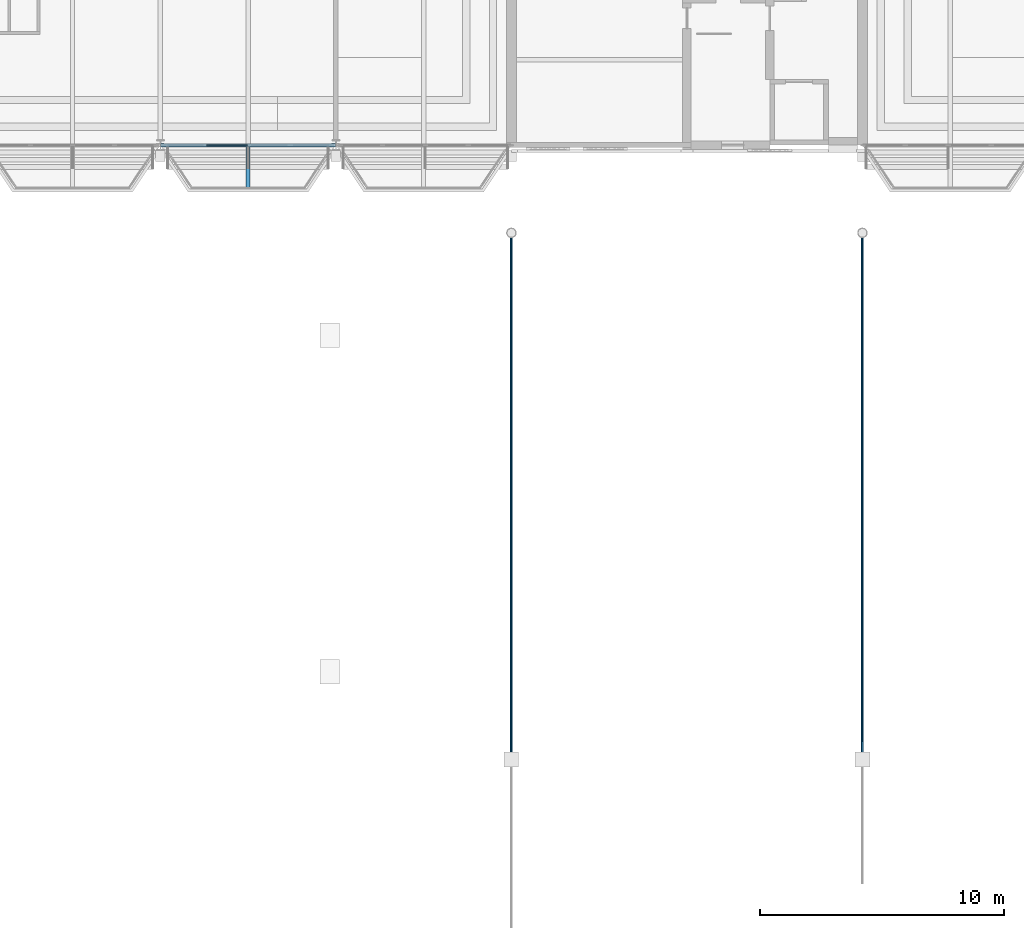
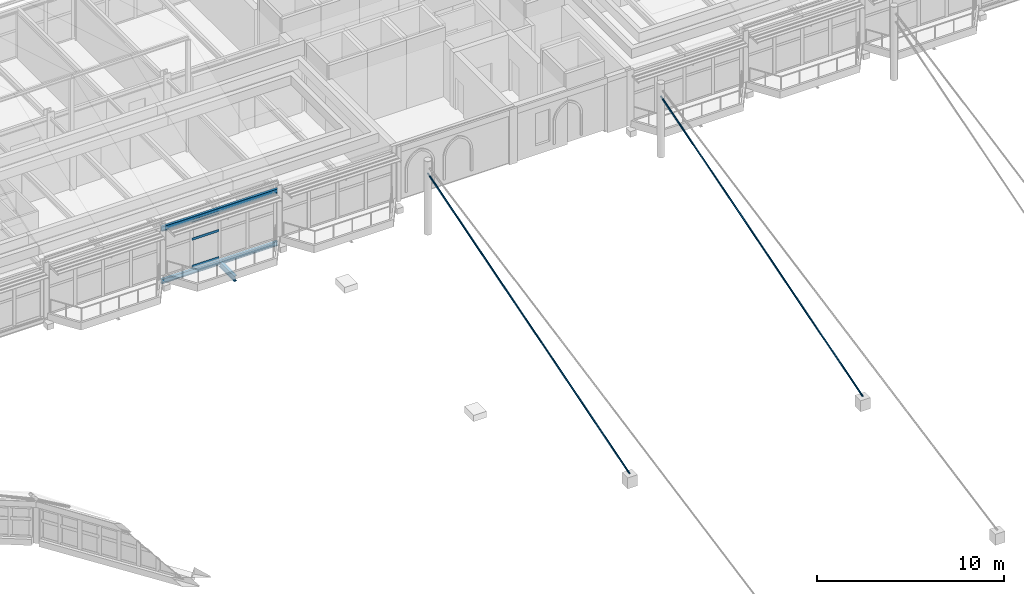
# One storey, part 30 of 68: 5 members, 3 beams, 1 element without a shape of its own.
"""IFC4 building model written with IfcOpenShell, lengths in metres."""

from ifc_helpers import new_model, si_unit, direction, frame, origin, origin_2d, place, context, subcontext, project, spatial, rectangle, circle, i_section, extrude, material, material_profile, profile_set, type_object, element, aggregate, save


model = new_model("IFC4")

# Units and contexts
model_context = context("Model", 3, precision=1e-05, world=origin(), true_north=direction((0.0, 1.0)))
body_context = subcontext(model_context, "Body", "Model", "MODEL_VIEW")
ifc_project = project(units=[si_unit("LENGTHUNIT", "METRE"), si_unit("AREAUNIT", "SQUARE_METRE"), si_unit("VOLUMEUNIT", "CUBIC_METRE"), si_unit("PLANEANGLEUNIT", "RADIAN"), si_unit("MASSUNIT", "GRAM", prefix="KILO")], contexts=[model_context])

# Site, building, storey
site_placement = place(None, origin())
site = spatial("IfcSite", under=ifc_project, at=site_placement, CompositionType="ELEMENT")
building_placement = place(site_placement, origin())
building = spatial("IfcBuilding", under=site, at=building_placement, Name="Kupolbacken Congress Centre", CompositionType="ELEMENT")
storey_placement = place(building_placement, frame((0.0, 0.0, 25.199951171875)))
storey = spatial("IfcBuildingStorey", under=building, at=storey_placement, Name="L07", CompositionType="ELEMENT", Elevation=25.199951171875)

# Beams
ifc_material_1 = material(Name="Steel S355", Category="steel")
ifc_material_profile_1 = material_profile(ifc_material_1, i_section(OverallWidth=0.14990234375, OverallDepth=0.300048828125, WebThickness=0.007080078125, FlangeThickness=0.0107421875, FilletRadius=0.014892578125, at=origin_2d()), Name="IPE 300")
ifc_profile_set_1 = profile_set([ifc_material_profile_1], Name="Steel S355")
beam_type_1 = type_object("IfcBeamType", Name="B04 beam IPE 300", PredefinedType="BEAM", material=ifc_profile_set_1)
for number, where, z_axis, x_axis, name in (
    (1, (79.21044921875, 122.39990234375, -0.2900390625), (1.0, 0.0, 0.0), (0.0, 1.0, 0.0), "S/floor/T/L07/R003"),
    (2, (79.21044921875, 122.39990234375, 3.14013671875), (1.0, 0.0, 0.0), (0.0, 1.0, 0.0), "S/floor/T/ROOF/R003"),
):
    element("IfcBeam", number, at=place(storey_placement, frame(where, z_axis=z_axis, x_axis=x_axis)), inside=storey, type_object=beam_type_1, Name=name, PredefinedType="BEAM", context=body_context, shape_type="SweptSolid", body=[
        extrude(i_section(OverallWidth=0.14990234375, OverallDepth=0.300048828125, WebThickness=0.007080078125, FlangeThickness=0.0107421875, FilletRadius=0.014892578125, at=origin_2d()), origin(), (0.0, 0.0, 1.0), 7.178955078125),
    ])
ifc_material_2 = material(Name="Steel S355", Category="steel")
ifc_material_profile_2 = material_profile(ifc_material_2, i_section(OverallWidth=0.169921875, OverallDepth=0.360107421875, WebThickness=0.008056640625, FlangeThickness=0.0126953125, FilletRadius=0.01806640625, at=origin_2d()), Name="IPE 360")
ifc_profile_set_2 = profile_set([ifc_material_profile_2], Name="Steel S355")
beam_type_2 = type_object("IfcBeamType", Name="B06 beam IPE 360", PredefinedType="BEAM", material=ifc_profile_set_2)
beam_placement = place(storey_placement, frame((82.800048828125, 122.324951171875, -0.320068359375), z_axis=(0.0, -1.0, 0.0), x_axis=(1.0, 0.0, 0.0)))
element("IfcBeam", 3, at=beam_placement, inside=storey, type_object=beam_type_2, Name="S/floor/T/L07/C084", PredefinedType="BEAM", context=body_context, shape_type="SweptSolid", body=[
    extrude(i_section(OverallWidth=0.169921875, OverallDepth=0.360107421875, WebThickness=0.008056640625, FlangeThickness=0.0126953125, FilletRadius=0.01806640625, at=origin_2d()), origin(), (0.0, 0.0, 1.0), 1.6650390625),
])

# Members
ifc_material_3 = material(Name="Steel S355", Category="steel")
ifc_material_profile_3 = material_profile(ifc_material_3, circle(Radius=0.0400390625, at=origin_2d()), Name="RB 80")
ifc_profile_set_3 = profile_set([ifc_material_profile_3], Name="Steel S355")
member_type_1 = type_object("IfcMemberType", Name="M23 roof stay round bar 80", PredefinedType="BRACE", material=ifc_profile_set_3)
for number, where, z_axis, x_axis, name in (
    (4, (93.60009765625, 118.800048828125, 3.900146484375), (0.0, -0.957459747769, -0.288566857769), (1.0, 0.0, 0.0), "Roof stay M1N.1"),
    (5, (108.0, 118.800048828125, 3.900146484375), (0.0, -0.957459747769, -0.288566857769), (1.0, 0.0, 0.0), "Roof stay M2N.1"),
):
    element("IfcMember", number, at=place(storey_placement, frame(where, z_axis=z_axis, x_axis=x_axis)), inside=storey, type_object=member_type_1, Name=name, PredefinedType="BRACE", context=body_context, shape_type="SweptSolid", body=[
        extrude(circle(Radius=0.0400390625, at=origin_2d()), origin(), (0.0, 0.0, 1.0), 22.559814453125),
    ])

# Curtain wall, members
ifc_material_4 = material(Name="Aluminium mullion-transom frame with glass", Category="aluminium")
curtain_wall_type = type_object("IfcCurtainWallType", Name="CW1 curtain wall 7200x3600", PredefinedType="NOTDEFINED", material=ifc_material_4)
curtain_wall_placement = place(storey_placement, origin())
curtain_wall = element("IfcCurtainWall", 6, at=curtain_wall_placement, inside=storey, type_object=curtain_wall_type, Name="E/T/S/L07/114/g0", PredefinedType="NOTDEFINED")
ifc_material_5 = material(Name="Aluminium alloy", Category="aluminium")
ifc_material_profile_4 = material_profile(ifc_material_5, rectangle(XDim=0.050048828125, YDim=0.14990234375, at=origin_2d()), Name="50 x 150")
ifc_profile_set_4 = profile_set([ifc_material_profile_4], Name="Aluminium alloy")
member_type_2 = type_object("IfcMemberType", Name="TR2 transom 50x150", PredefinedType="MULLION", material=ifc_profile_set_4)
member_1_placement = place(storey_placement, frame((81.101806640625, 122.39990234375, 0.025146484375), z_axis=(1.0, 0.0, 0.0), x_axis=(0.0, 1.0, 0.0)))
member_1 = element("IfcMember", 7, at=member_1_placement, type_object=member_type_2, Name="CW1 transom 2.1", PredefinedType="MULLION", context=body_context, shape_type="SweptSolid", body=[
    extrude(rectangle(XDim=0.050048828125, YDim=0.14990234375, at=origin_2d()), origin(), (0.0, 0.0, 1.0), 1.673095703125),
])
member_2_placement = place(storey_placement, frame((81.101806640625, 122.39990234375, 1.800048828125), z_axis=(1.0, 0.0, 0.0), x_axis=(0.0, 1.0, 0.0)))
member_2 = element("IfcMember", 8, at=member_2_placement, type_object=member_type_2, Name="CW1 transom 2.2", PredefinedType="MULLION", context=body_context, shape_type="SweptSolid", body=[
    extrude(rectangle(XDim=0.050048828125, YDim=0.14990234375, at=origin_2d()), origin(), (0.0, 0.0, 1.0), 1.673095703125),
])
member_3_placement = place(storey_placement, frame((81.101806640625, 122.39990234375, 2.965087890625), z_axis=(1.0, 0.0, 0.0), x_axis=(0.0, 1.0, 0.0)))
member_3 = element("IfcMember", 9, at=member_3_placement, type_object=member_type_2, Name="CW1 transom 2.3", PredefinedType="MULLION", context=body_context, shape_type="SweptSolid", body=[
    extrude(rectangle(XDim=0.050048828125, YDim=0.14990234375, at=origin_2d()), origin(), (0.0, 0.0, 1.0), 1.673095703125),
])
aggregate(curtain_wall, [member_1, member_2, member_3])

save(model, "model.ifc")
